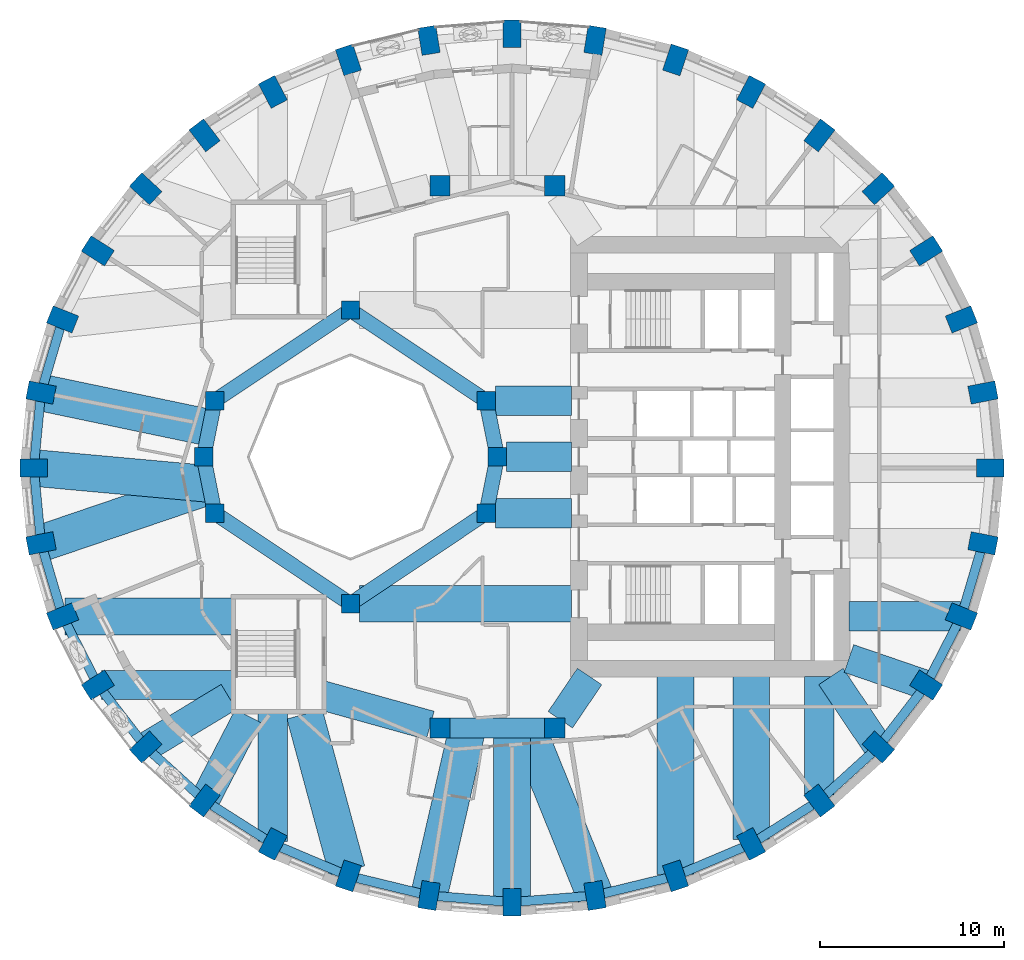
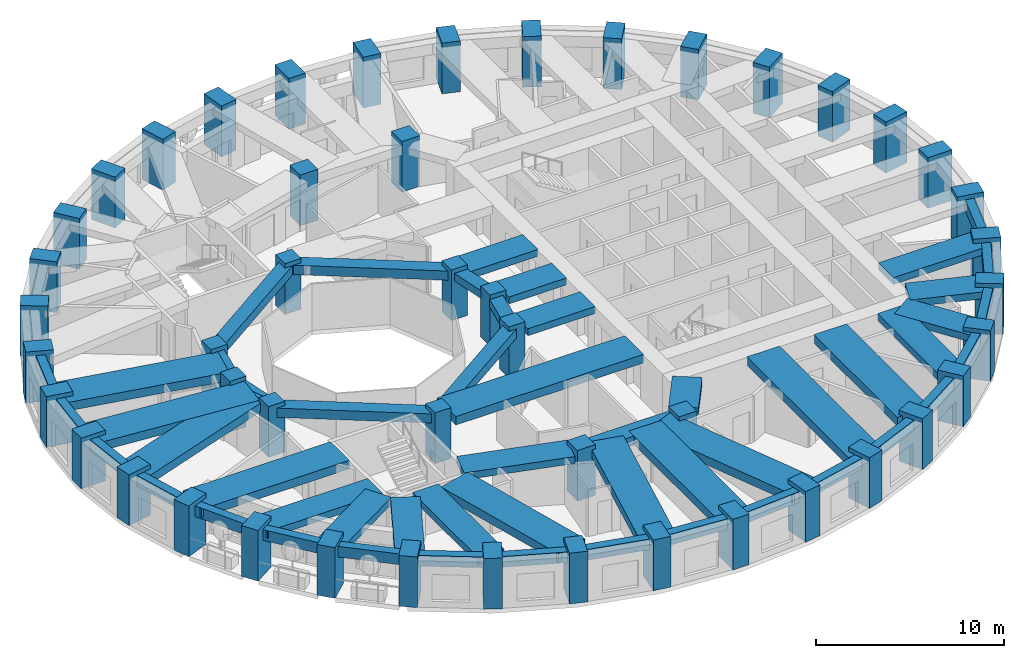
# One storey, part 1 of 12: 52 beams, 48 columns.
"""IFC4 building model written with IfcOpenShell, lengths in metres."""

from ifc_helpers import new_model, si_unit, direction, frame, origin, origin_2d, place, context, subcontext, project, spatial, rectangle, extrude, material, material_profile, profile_set, type_object, element, save


model = new_model("IFC4")

# Units and contexts
model_context = context("Model", 3, precision=1e-05, world=origin(), true_north=direction((0.0, 1.0)))
body_context = subcontext(model_context, "Body", "Model", "MODEL_VIEW")
ifc_project = project(units=[si_unit("LENGTHUNIT", "METRE"), si_unit("AREAUNIT", "SQUARE_METRE"), si_unit("VOLUMEUNIT", "CUBIC_METRE"), si_unit("PLANEANGLEUNIT", "RADIAN"), si_unit("MASSUNIT", "GRAM", prefix="KILO")], contexts=[model_context])

# Site, building, storey
site_placement = place(None, origin())
site = spatial("IfcSite", under=ifc_project, at=site_placement, CompositionType="ELEMENT")
building_placement = place(site_placement, origin())
building = spatial("IfcBuilding", under=site, at=building_placement, Name="Taillehof Tower", CompositionType="ELEMENT")
storey_placement = place(building_placement, frame((0.0, 0.0, 92.199951171875)))
storey = spatial("IfcBuildingStorey", under=building, at=storey_placement, Name="L25", CompositionType="ELEMENT", Elevation=92.199951171875)

# Columns
ifc_material_1 = material(Name="Concrete C50/60", Category="concrete")
ifc_material_profile_1 = material_profile(ifc_material_1, rectangle(XDim=1.0, YDim=1.0, at=origin_2d()), Name="RC 1000x1000")
ifc_profile_set_1 = profile_set([ifc_material_profile_1], Name="Concrete C50/60")
column_type_1 = type_object("IfcColumnType", Name="Atrium ring column C50/60 1000x1000", PredefinedType="COLUMN", material=ifc_profile_set_1)
for number, where, z_axis, x_axis, name in (
    (1, (0.0, 0.0, 0.0), (0.0, 0.0, 1.0), (1.0, 0.0, 0.0), "Column AC01"),
    (2, (-0.60888671875, 3.0615234375, 0.0), (0.0, 0.0, 1.0), (1.0, 0.0, 0.0), "Column AC02"),
    (3, (-8.0, 8.0, 0.0), (0.0, 0.0, 1.0), (1.0, 0.0, 0.0), "Column AC05"),
    (4, (-15.39111328125, 3.0615234375, 0.0), (0.0, 0.0, 1.0), (1.0, 0.0, 0.0), "Column AC08"),
    (5, (-16.0, 0.0, 0.0), (0.0, 0.0, 1.0), (1.0, 0.0, 0.0), "Column AC09"),
    (6, (-15.39111328125, -3.0615234375, 0.0), (0.0, 0.0, 1.0), (1.0, 0.0, 0.0), "Column AC10"),
    (7, (-8.0, -8.0, 0.0), (0.0, 0.0, 1.0), (1.0, 0.0, 0.0), "Column AC13"),
    (8, (-0.60888671875, -3.0615234375, 0.0), (0.0, 0.0, 1.0), (1.0, 0.0, 0.0), "Column AC16"),
):
    element("IfcColumn", number, at=place(storey_placement, frame(where, z_axis=z_axis, x_axis=x_axis)), inside=storey, type_object=column_type_1, Name=name, PredefinedType="COLUMN", context=body_context, shape_type="SweptSolid", body=[
        extrude(rectangle(XDim=1.0, YDim=1.0, at=origin_2d()), origin(), (0.0, 0.0, 1.0), 3.300048828125),
    ])
ifc_material_2 = material(Name="Concrete C50/60", Category="concrete")
ifc_material_profile_2 = material_profile(ifc_material_2, rectangle(XDim=1.10009765625, YDim=1.10009765625, at=origin_2d()), Name="RC 1100x1100")
ifc_profile_set_2 = profile_set([ifc_material_profile_2], Name="Concrete C50/60")
column_type_2 = type_object("IfcColumnType", Name="Mid-ring column C50/60 1100x1100", PredefinedType="COLUMN", material=ifc_profile_set_2)
for number, where, z_axis, x_axis, name in (
    (9, (3.125732421875, 14.772216796875, 0.0), (0.0, 0.0, 1.0), (1.0, 0.0, 0.0), "Column MC05"),
    (10, (3.125732421875, -14.772216796875, 0.0), (0.0, 0.0, 1.0), (1.0, 0.0, 0.0), "Column MC15"),
):
    element("IfcColumn", number, at=place(storey_placement, frame(where, z_axis=z_axis, x_axis=x_axis)), inside=storey, type_object=column_type_2, Name=name, PredefinedType="COLUMN", context=body_context, shape_type="SweptSolid", body=[
        extrude(rectangle(XDim=1.10009765625, YDim=1.10009765625, at=origin_2d()), origin(), (0.0, 0.0, 1.0), 3.300048828125),
    ])
ifc_material_3 = material(Name="Concrete C60/75", Category="concrete")
ifc_material_profile_3 = material_profile(ifc_material_3, rectangle(XDim=1.10009765625, YDim=1.10009765625, at=origin_2d()), Name="RC 1100x1100")
ifc_profile_set_3 = profile_set([ifc_material_profile_3], Name="Concrete C60/75")
column_type_3 = type_object("IfcColumnType", Name="Mid-ring column C60/75 1100x1100", PredefinedType="COLUMN", material=ifc_profile_set_3)
for number, where, z_axis, x_axis, name in (
    (11, (-3.125732421875, 14.772216796875, 0.0), (0.0, 0.0, 1.0), (1.0, 0.0, 0.0), "Column MC06"),
    (12, (-3.125732421875, -14.772216796875, 0.0), (0.0, 0.0, 1.0), (1.0, 0.0, 0.0), "Column MC14"),
):
    element("IfcColumn", number, at=place(storey_placement, frame(where, z_axis=z_axis, x_axis=x_axis)), inside=storey, type_object=column_type_3, Name=name, PredefinedType="COLUMN", context=body_context, shape_type="SweptSolid", body=[
        extrude(rectangle(XDim=1.10009765625, YDim=1.10009765625, at=origin_2d()), origin(), (0.0, 0.0, 1.0), 3.300048828125),
    ])
ifc_material_4 = material(Name="Concrete C70/85", Category="concrete")
ifc_material_profile_4 = material_profile(ifc_material_4, rectangle(XDim=1.5, YDim=1.0, at=origin_2d()), Name="RC 1500x1000")
ifc_profile_set_4 = profile_set([ifc_material_profile_4], Name="Concrete C70/85")
column_type_4 = type_object("IfcColumnType", Name="Ring column C70/85 1500x1000", PredefinedType="COLUMN", material=ifc_profile_set_4)
for number, where, z_axis, x_axis, name in (
    (13, (26.85009765625, -0.60009765625, 0.0), (0.0, 0.0, 1.0), (1.0, 0.0, 0.0), "Ring column RC01"),
    (14, (26.454345703125, 3.5068359375, 0.0), (0.0, 0.0, 1.0), (0.981757466121, 0.190137523166, 0.0), "Ring column RC02"),
    (15, (25.279052734375, 7.48876953125, 0.0), (0.0, 0.0, 1.0), (0.928550110352, 0.371207075048, 0.0), "Ring column RC03"),
    (16, (23.35986328125, 11.22509765625, 0.0), (0.0, 0.0, 1.0), (0.844511454562, 0.535537489923, 0.0), "Ring column RC04"),
    (17, (20.75537109375, 14.60205078125, 0.0), (0.0, 0.0, 1.0), (0.735332034083, 0.677707016085, 0.0), "Ring column RC05"),
    (18, (17.544677734375, 17.516845703125, 0.0), (0.0, 0.0, 1.0), (0.607074228939, 0.794645128694, 0.0), "Ring column RC06"),
    (19, (13.824951171875, 19.881591796875, 0.0), (0.0, 0.0, 1.0), (0.465283017627, 0.885161970211, 0.0), "Ring column RC07"),
    (20, (9.709716796875, 21.623779296875, 0.0), (0.0, 0.0, 1.0), (0.314554972703, 0.949239258116, 0.0), "Ring column RC08"),
    (21, (5.323486328125, 22.690673828125, 0.0), (0.0, 0.0, 1.0), (0.158507038215, 0.987357847407, 0.0), "Ring column RC09"),
    (22, (0.800048828125, 23.050048828125, 0.0), (0.0, 0.0, 1.0), (0.0, 1.0, 0.0), "Ring column RC10"),
    (23, (-3.7236328125, 22.690673828125, 0.0), (0.0, 0.0, 1.0), (-0.158507038215, 0.987357847407, 0.0), "Ring column RC11"),
    (24, (-8.109619140625, 21.623779296875, 0.0), (0.0, 0.0, 1.0), (-0.314554972703, 0.949239258116, 0.0), "Ring column RC12"),
    (25, (-12.22509765625, 19.881591796875, 0.0), (0.0, 0.0, 1.0), (-0.465283017627, 0.885161970211, 0.0), "Ring column RC13"),
    (26, (-15.944580078125, 17.516845703125, 0.0), (0.0, 0.0, 1.0), (-0.607074228939, 0.794645128694, 0.0), "Ring column RC14"),
    (27, (-19.155517578125, 14.60205078125, 0.0), (0.0, 0.0, 1.0), (-0.735332034083, 0.677707016085, 0.0), "Ring column RC15"),
    (28, (-21.760009765625, 11.22509765625, 0.0), (0.0, 0.0, 1.0), (-0.844511454562, 0.535537489923, 0.0), "Ring column RC16"),
    (29, (-23.678955078125, 7.48876953125, 0.0), (0.0, 0.0, 1.0), (-0.928550110352, 0.371207075048, 0.0), "Ring column RC17"),
    (30, (-24.854248046875, 3.5068359375, 0.0), (0.0, 0.0, 1.0), (-0.981757466121, 0.190137523166, 0.0), "Ring column RC18"),
    (31, (-25.25, -0.60009765625, 0.0), (0.0, 0.0, 1.0), (-1.0, 0.0, 0.0), "Ring column RC19"),
    (32, (-24.854248046875, -4.706787109375, 0.0), (0.0, 0.0, 1.0), (-0.981757466121, -0.190137523166, 0.0), "Ring column RC20"),
    (33, (-23.678955078125, -8.688720703125, 0.0), (0.0, 0.0, 1.0), (-0.928550110352, -0.371207075048, 0.0), "Ring column RC21"),
    (34, (-21.760009765625, -12.425048828125, 0.0), (0.0, 0.0, 1.0), (-0.844511454562, -0.535537489923, 0.0), "Ring column RC22"),
    (35, (-19.155517578125, -15.802001953125, 0.0), (0.0, 0.0, 1.0), (-0.735332034083, -0.677707016085, 0.0), "Ring column RC23"),
    (36, (-15.944580078125, -18.717041015625, 0.0), (0.0, 0.0, 1.0), (-0.607074228939, -0.794645128694, 0.0), "Ring column RC24"),
    (37, (-12.22509765625, -21.08154296875, 0.0), (0.0, 0.0, 1.0), (-0.465283017627, -0.885161970211, 0.0), "Ring column RC25"),
    (38, (-8.109619140625, -22.82373046875, 0.0), (0.0, 0.0, 1.0), (-0.314554972703, -0.949239258116, 0.0), "Ring column RC26"),
    (39, (-3.7236328125, -23.890625, 0.0), (0.0, 0.0, 1.0), (-0.158507038215, -0.987357847407, 0.0), "Ring column RC27"),
    (40, (0.800048828125, -24.25, 0.0), (0.0, 0.0, 1.0), (0.0, -1.0, 0.0), "Ring column RC28"),
    (41, (5.323486328125, -23.890625, 0.0), (0.0, 0.0, 1.0), (0.158507038215, -0.987357847407, 0.0), "Ring column RC29"),
    (42, (9.709716796875, -22.82373046875, 0.0), (0.0, 0.0, 1.0), (0.314554972703, -0.949239258116, 0.0), "Ring column RC30"),
    (43, (13.824951171875, -21.08154296875, 0.0), (0.0, 0.0, 1.0), (0.465283017627, -0.885161970211, 0.0), "Ring column RC31"),
    (44, (17.544677734375, -18.717041015625, 0.0), (0.0, 0.0, 1.0), (0.607074228939, -0.794645128694, 0.0), "Ring column RC32"),
    (45, (20.75537109375, -15.802001953125, 0.0), (0.0, 0.0, 1.0), (0.735332034083, -0.677707016085, 0.0), "Ring column RC33"),
    (46, (23.35986328125, -12.425048828125, 0.0), (0.0, 0.0, 1.0), (0.844511454562, -0.535537489923, 0.0), "Ring column RC34"),
    (47, (25.279052734375, -8.688720703125, 0.0), (0.0, 0.0, 1.0), (0.928550110352, -0.371207075048, 0.0), "Ring column RC35"),
    (48, (26.454345703125, -4.706787109375, 0.0), (0.0, 0.0, 1.0), (0.981757466121, -0.190137523166, 0.0), "Ring column RC36"),
):
    element("IfcColumn", number, at=place(storey_placement, frame(where, z_axis=z_axis, x_axis=x_axis)), inside=storey, type_object=column_type_4, Name=name, PredefinedType="COLUMN", context=body_context, shape_type="SweptSolid", body=[
        extrude(rectangle(XDim=1.5, YDim=1.0, at=origin_2d()), origin(), (0.0, 0.0, 1.0), 3.300048828125),
    ])

# Beams
ifc_material_5 = material(Name="Concrete C50/60", Category="concrete")
ifc_material_profile_5 = material_profile(ifc_material_5, rectangle(XDim=0.800048828125, YDim=0.5, at=origin_2d()), Name="RC 800x500")
ifc_profile_set_5 = profile_set([ifc_material_profile_5], Name="Concrete C50/60")
beam_type_1 = type_object("IfcBeamType", Name="Atrium ring beam C50/60 800x500", PredefinedType="BEAM", material=ifc_profile_set_5)
for number, where, z_axis, x_axis, name in (
    (49, (0.0, 0.0, 2.77001953125), (-0.195063155143, 0.980790683839, 0.0), (-0.980790683839, -0.195063155143, 0.0), "Atrium ring beam AB01"),
    (50, (-15.39111328125, 3.0615234375, 2.77001953125), (-0.195063155143, -0.980790683839, 0.0), (0.980790683839, -0.195063155143, 0.0), "Atrium ring beam AB04"),
    (51, (-16.0, 0.0, 2.77001953125), (0.195063155143, -0.980790683839, 0.0), (0.980790683839, 0.195063155143, 0.0), "Atrium ring beam AB05"),
    (52, (-0.60888671875, -3.0615234375, 2.77001953125), (0.195063155143, 0.980790683839, 0.0), (-0.980790683839, 0.195063155143, 0.0), "Atrium ring beam AB08"),
):
    element("IfcBeam", number, at=place(storey_placement, frame(where, z_axis=z_axis, x_axis=x_axis)), inside=storey, type_object=beam_type_1, Name=name, PredefinedType="BEAM", context=body_context, shape_type="SweptSolid", body=[
        extrude(rectangle(XDim=0.800048828125, YDim=0.5, at=origin_2d()), origin(), (0.0, 0.0, 1.0), 3.12158203125),
    ])
ifc_material_6 = material(Name="Concrete C50/60", Category="concrete")
ifc_material_profile_6 = material_profile(ifc_material_6, rectangle(XDim=0.800048828125, YDim=0.60009765625, at=origin_2d()), Name="RC 800x600")
ifc_profile_set_6 = profile_set([ifc_material_profile_6], Name="Concrete C50/60")
beam_type_2 = type_object("IfcBeamType", Name="Atrium ring beam C50/60 800x600", PredefinedType="BEAM", material=ifc_profile_set_6)
for number, where, z_axis, x_axis, name in (
    (53, (-0.60888671875, 3.0615234375, 2.719970703125), (-0.831475195687, 0.555561876804, 0.0), (-0.555561876804, -0.831475195687, 0.0), "Atrium ring beam AB02"),
    (54, (-8.0, 8.0, 2.719970703125), (-0.831475195687, -0.555561876804, 0.0), (0.555561876804, -0.831475195687, 0.0), "Atrium ring beam AB03"),
    (55, (-15.39111328125, -3.0615234375, 2.719970703125), (0.831475195687, -0.555561876804, 0.0), (0.555561876804, 0.831475195687, 0.0), "Atrium ring beam AB06"),
    (56, (-8.0, -8.0, 2.719970703125), (0.831475195687, 0.555561876804, 0.0), (-0.555561876804, 0.831475195687, 0.0), "Atrium ring beam AB07"),
):
    element("IfcBeam", number, at=place(storey_placement, frame(where, z_axis=z_axis, x_axis=x_axis)), inside=storey, type_object=beam_type_2, Name=name, PredefinedType="BEAM", context=body_context, shape_type="SweptSolid", body=[
        extrude(rectangle(XDim=0.800048828125, YDim=0.60009765625, at=origin_2d()), origin(), (0.0, 0.0, 1.0), 8.88916015625),
    ])
ifc_material_7 = material(Name="Concrete C50/60", Category="concrete")
ifc_material_profile_7 = material_profile(ifc_material_7, rectangle(XDim=1.10009765625, YDim=0.60009765625, at=origin_2d()), Name="RC 1100x600")
ifc_profile_set_7 = profile_set([ifc_material_profile_7], Name="Concrete C50/60")
beam_type_3 = type_object("IfcBeamType", Name="Mid-ring beam C50/60 1100x600", PredefinedType="BEAM", material=ifc_profile_set_7)
beam_1_placement = place(storey_placement, frame((-3.125732421875, -14.772216796875, 2.719970703125), z_axis=(1.0, 0.0, 0.0), x_axis=(0.0, 1.0, 0.0)))
element("IfcBeam", 57, at=beam_1_placement, inside=storey, type_object=beam_type_3, Name="Mid-ring beam MB02", PredefinedType="BEAM", context=body_context, shape_type="SweptSolid", body=[
    extrude(rectangle(XDim=1.10009765625, YDim=0.60009765625, at=origin_2d()), origin(), (0.0, 0.0, 1.0), 6.25146484375),
])
ifc_material_8 = material(Name="Concrete C50/60", Category="concrete")
ifc_material_profile_8 = material_profile(ifc_material_8, rectangle(XDim=1.60009765625, YDim=0.449951171875, at=origin_2d()), Name="RC 1600x450")
ifc_profile_set_8 = profile_set([ifc_material_profile_8], Name="Concrete C50/60")
beam_type_4 = type_object("IfcBeamType", Name="Radial band beam C50/60 1600x450", PredefinedType="BEAM", material=ifc_profile_set_8)
beam_2_placement = place(storey_placement, frame((-21.54736328125, -12.425048828125, 2.795166015625), z_axis=(1.0, 0.0, 0.0), x_axis=(0.0, 1.0, 0.0)))
element("IfcBeam", 58, at=beam_2_placement, inside=storey, type_object=beam_type_4, Name="Radial band beam RB22", PredefinedType="BEAM", context=body_context, shape_type="SweptSolid", body=[
    extrude(rectangle(XDim=1.60009765625, YDim=0.449951171875, at=origin_2d()), origin(), (0.0, 0.0, 1.0), 7.097412109375),
])
beam_3_placement = place(storey_placement, frame((-19.155517578125, -15.802001953125, 2.795166015625), z_axis=(0.856794973818, 0.515657224171, 0.0), x_axis=(-0.515657224171, 0.856794973818, 0.0)))
element("IfcBeam", 59, at=beam_3_placement, inside=storey, type_object=beam_type_4, Name="Radial band beam RB23", PredefinedType="BEAM", context=body_context, shape_type="SweptSolid", body=[
    extrude(rectangle(XDim=1.60009765625, YDim=0.449951171875, at=origin_2d()), origin(), (0.0, 0.0, 1.0), 5.28369140625),
])
beam_4_placement = place(storey_placement, frame((-15.944580078125, -18.717041015625, 2.795166015625), z_axis=(0.460119038647, 0.8878572353, 0.0), x_axis=(-0.8878572353, 0.460119038647, 0.0)))
element("IfcBeam", 60, at=beam_4_placement, inside=storey, type_object=beam_type_4, Name="Radial band beam RB24", PredefinedType="BEAM", context=body_context, shape_type="SweptSolid", body=[
    extrude(rectangle(XDim=1.60009765625, YDim=0.449951171875, at=origin_2d()), origin(), (0.0, 0.0, 1.0), 5.1796875),
])
beam_5_placement = place(storey_placement, frame((-12.22509765625, -20.9443359375, 2.795166015625), z_axis=(0.0, 1.0, 0.0), x_axis=(-1.0, 0.0, 0.0)))
element("IfcBeam", 61, at=beam_5_placement, inside=storey, type_object=beam_type_4, Name="Radial band beam RB25", PredefinedType="BEAM", context=body_context, shape_type="SweptSolid", body=[
    extrude(rectangle(XDim=1.60009765625, YDim=0.449951171875, at=origin_2d()), origin(), (0.0, 0.0, 1.0), 6.994384765625),
])
beam_6_placement = place(storey_placement, frame((17.544677734375, -18.421875, 2.795166015625), z_axis=(0.0, 1.0, 0.0), x_axis=(-1.0, 0.0, 0.0)))
element("IfcBeam", 62, at=beam_6_placement, inside=storey, type_object=beam_type_4, Name="Radial band beam RB32", PredefinedType="BEAM", context=body_context, shape_type="SweptSolid", body=[
    extrude(rectangle(XDim=1.60009765625, YDim=0.449951171875, at=origin_2d()), origin(), (0.0, 0.0, 1.0), 6.471923828125),
])
beam_7_placement = place(storey_placement, frame((20.75537109375, -15.802001953125, 2.795166015625), z_axis=(-0.557822939952, 0.829959979555, 0.0), x_axis=(-0.829959979555, -0.557822939952, 0.0)))
element("IfcBeam", 63, at=beam_7_placement, inside=storey, type_object=beam_type_4, Name="Radial band beam RB33", PredefinedType="BEAM", context=body_context, shape_type="SweptSolid", body=[
    extrude(rectangle(XDim=1.60009765625, YDim=0.449951171875, at=origin_2d()), origin(), (0.0, 0.0, 1.0), 4.630859375),
])
beam_8_placement = place(storey_placement, frame((23.35986328125, -12.425048828125, 2.795166015625), z_axis=(-0.946037817118, 0.324056242932, 0.0), x_axis=(-0.324056242932, -0.946037817118, 0.0)))
element("IfcBeam", 64, at=beam_8_placement, inside=storey, type_object=beam_type_4, Name="Radial band beam RB34", PredefinedType="BEAM", context=body_context, shape_type="SweptSolid", body=[
    extrude(rectangle(XDim=1.60009765625, YDim=0.449951171875, at=origin_2d()), origin(), (0.0, 0.0, 1.0), 4.447265625),
])
beam_9_placement = place(storey_placement, frame((25.2275390625, -8.688720703125, 2.795166015625), z_axis=(-1.0, 0.0, 0.0), x_axis=(0.0, -1.0, 0.0)))
element("IfcBeam", 65, at=beam_9_placement, inside=storey, type_object=beam_type_4, Name="Radial band beam RB35", PredefinedType="BEAM", context=body_context, shape_type="SweptSolid", body=[
    extrude(rectangle(XDim=1.60009765625, YDim=0.449951171875, at=origin_2d()), origin(), (0.0, 0.0, 1.0), 6.07763671875),
])
beam_10_placement = place(storey_placement, frame((0.5, 0.0, 2.795166015625), z_axis=(1.0, 0.0, 0.0), x_axis=(0.0, 1.0, 0.0)))
element("IfcBeam", 66, at=beam_10_placement, inside=storey, type_object=beam_type_4, Name="Inner band beam IB101", PredefinedType="BEAM", context=body_context, shape_type="SweptSolid", body=[
    extrude(rectangle(XDim=1.60009765625, YDim=0.449951171875, at=origin_2d()), origin(), (0.0, 0.0, 1.0), 3.550048828125),
])
for number, where, z_axis, x_axis, name in (
    (67, (-0.10888671875, 3.0615234375, 2.795166015625), (1.0, 0.0, 0.0), (0.0, 1.0, 0.0), "Inner band beam IB102"),
    (68, (-0.10888671875, -3.0615234375, 2.795166015625), (1.0, 0.0, 0.0), (0.0, 1.0, 0.0), "Inner band beam IB116"),
):
    element("IfcBeam", number, at=place(storey_placement, frame(where, z_axis=z_axis, x_axis=x_axis)), inside=storey, type_object=beam_type_4, Name=name, PredefinedType="BEAM", context=body_context, shape_type="SweptSolid", body=[
        extrude(rectangle(XDim=1.60009765625, YDim=0.449951171875, at=origin_2d()), origin(), (0.0, 0.0, 1.0), 4.158935546875),
    ])
beam_11_placement = place(storey_placement, frame((-3.655517578125, -14.624755859375, 2.795166015625), z_axis=(-0.963459369536, 0.267854518821, 0.0), x_axis=(-0.267854518821, -0.963459369536, 0.0)))
element("IfcBeam", 69, at=beam_11_placement, inside=storey, type_object=beam_type_4, Name="Inner band beam IB214", PredefinedType="BEAM", context=body_context, shape_type="SweptSolid", body=[
    extrude(rectangle(XDim=1.60009765625, YDim=0.449951171875, at=origin_2d()), origin(), (0.0, 0.0, 1.0), 6.096923828125),
])
beam_12_placement = place(storey_placement, frame((3.433837890625, -14.31640625, 2.795166015625), z_axis=(0.560112043398, 0.828416862962, 0.0), x_axis=(-0.828416862962, 0.560112043398, 0.0)))
element("IfcBeam", 70, at=beam_12_placement, inside=storey, type_object=beam_type_4, Name="Inner band beam IB215", PredefinedType="BEAM", context=body_context, shape_type="SweptSolid", body=[
    extrude(rectangle(XDim=1.60009765625, YDim=0.449951171875, at=origin_2d()), origin(), (0.0, 0.0, 1.0), 2.84619140625),
])
ifc_material_9 = material(Name="Concrete C50/60", Category="concrete")
ifc_material_profile_9 = material_profile(ifc_material_9, rectangle(XDim=2.0, YDim=0.550048828125, at=origin_2d()), Name="RC 2000x550")
ifc_profile_set_9 = profile_set([ifc_material_profile_9], Name="Concrete C50/60")
beam_type_5 = type_object("IfcBeamType", Name="Radial band beam C50/60 2000x550", PredefinedType="BEAM", material=ifc_profile_set_9)
beam_13_placement = place(storey_placement, frame((-24.854248046875, 3.5068359375, 2.7451171875), z_axis=(0.978853404319, -0.204562980164, 0.0), x_axis=(0.204562980164, 0.978853404319, 0.0)))
element("IfcBeam", 71, at=beam_13_placement, inside=storey, type_object=beam_type_5, Name="Radial band beam RB18", PredefinedType="BEAM", context=body_context, shape_type="SweptSolid", body=[
    extrude(rectangle(XDim=2.0, YDim=0.550048828125, at=origin_2d()), origin(), (0.0, 0.0, 1.0), 9.36865234375),
])
beam_14_placement = place(storey_placement, frame((-25.25, -0.60009765625, 2.7451171875), z_axis=(0.995859515154, -0.090905588816, 0.0), x_axis=(0.090905588816, 0.995859515154, 0.0)))
element("IfcBeam", 72, at=beam_14_placement, inside=storey, type_object=beam_type_5, Name="Radial band beam RB19", PredefinedType="BEAM", context=body_context, shape_type="SweptSolid", body=[
    extrude(rectangle(XDim=2.0, YDim=0.550048828125, at=origin_2d()), origin(), (0.0, 0.0, 1.0), 9.58251953125),
])
beam_15_placement = place(storey_placement, frame((-24.854248046875, -4.706787109375, 2.7451171875), z_axis=(0.946822052625, 0.321757673822, 0.0), x_axis=(-0.321757673822, 0.946822052625, 0.0)))
element("IfcBeam", 73, at=beam_15_placement, inside=storey, type_object=beam_type_5, Name="Radial band beam RB20", PredefinedType="BEAM", context=body_context, shape_type="SweptSolid", body=[
    extrude(rectangle(XDim=2.0, YDim=0.550048828125, at=origin_2d()), origin(), (0.0, 0.0, 1.0), 9.685791015625),
])
beam_16_placement = place(storey_placement, frame((-23.54736328125, -8.688720703125, 2.7451171875), z_axis=(1.0, 0.0, 0.0), x_axis=(0.0, 1.0, 0.0)))
element("IfcBeam", 74, at=beam_16_placement, inside=storey, type_object=beam_type_5, Name="Radial band beam RB21", PredefinedType="BEAM", context=body_context, shape_type="SweptSolid", body=[
    extrude(rectangle(XDim=2.0, YDim=0.550048828125, at=origin_2d()), origin(), (0.0, 0.0, 1.0), 9.097412109375),
])
beam_17_placement = place(storey_placement, frame((-8.186767578125, -22.539306640625, 2.7451171875), z_axis=(-0.261461600872, 0.965213878511, 0.0), x_axis=(-0.965213878511, -0.261461600872, 0.0)))
element("IfcBeam", 75, at=beam_17_placement, inside=storey, type_object=beam_type_5, Name="Radial band beam RB26", PredefinedType="BEAM", context=body_context, shape_type="SweptSolid", body=[
    extrude(rectangle(XDim=2.0, YDim=0.550048828125, at=origin_2d()), origin(), (0.0, 0.0, 1.0), 8.835205078125),
])
beam_18_placement = place(storey_placement, frame((-3.7236328125, -23.890625, 2.7451171875), z_axis=(0.224215346781, 0.974539623755, 0.0), x_axis=(-0.974539623755, 0.224215346781, 0.0)))
element("IfcBeam", 76, at=beam_18_placement, inside=storey, type_object=beam_type_5, Name="Radial band beam RB27", PredefinedType="BEAM", context=body_context, shape_type="SweptSolid", body=[
    extrude(rectangle(XDim=2.0, YDim=0.550048828125, at=origin_2d()), origin(), (0.0, 0.0, 1.0), 9.356689453125),
])
beam_19_placement = place(storey_placement, frame((0.800048828125, -24.25, 2.7451171875), z_axis=(0.0, 1.0, 0.0), x_axis=(-1.0, 0.0, 0.0)))
element("IfcBeam", 77, at=beam_19_placement, inside=storey, type_object=beam_type_5, Name="Radial band beam RB28", PredefinedType="BEAM", context=body_context, shape_type="SweptSolid", body=[
    extrude(rectangle(XDim=2.0, YDim=0.550048828125, at=origin_2d()), origin(), (0.0, 0.0, 1.0), 9.477783203125),
])
beam_20_placement = place(storey_placement, frame((5.323486328125, -23.890625, 2.7451171875), z_axis=(-0.375801287916, 0.926700270854, 0.0), x_axis=(-0.926700270854, -0.375801287916, 0.0)))
element("IfcBeam", 78, at=beam_20_placement, inside=storey, type_object=beam_type_5, Name="Radial band beam RB29", PredefinedType="BEAM", context=body_context, shape_type="SweptSolid", body=[
    extrude(rectangle(XDim=2.0, YDim=0.550048828125, at=origin_2d()), origin(), (0.0, 0.0, 1.0), 9.839599609375),
])
beam_21_placement = place(storey_placement, frame((9.709716796875, -22.756591796875, 2.7451171875), z_axis=(0.0, 1.0, 0.0), x_axis=(-1.0, 0.0, 0.0)))
element("IfcBeam", 79, at=beam_21_placement, inside=storey, type_object=beam_type_5, Name="Radial band beam RB30", PredefinedType="BEAM", context=body_context, shape_type="SweptSolid", body=[
    extrude(rectangle(XDim=2.0, YDim=0.550048828125, at=origin_2d()), origin(), (0.0, 0.0, 1.0), 10.806640625),
])
beam_22_placement = place(storey_placement, frame((13.824951171875, -20.839599609375, 2.7451171875), z_axis=(0.0, 1.0, 0.0), x_axis=(-1.0, 0.0, 0.0)))
element("IfcBeam", 80, at=beam_22_placement, inside=storey, type_object=beam_type_5, Name="Radial band beam RB31", PredefinedType="BEAM", context=body_context, shape_type="SweptSolid", body=[
    extrude(rectangle(XDim=2.0, YDim=0.550048828125, at=origin_2d()), origin(), (0.0, 0.0, 1.0), 8.8896484375),
])
beam_23_placement = place(storey_placement, frame((-7.5, -8.0, 2.7451171875), z_axis=(1.0, 0.0, 0.0), x_axis=(0.0, 1.0, 0.0)))
element("IfcBeam", 81, at=beam_23_placement, inside=storey, type_object=beam_type_5, Name="Inner band beam IB113", PredefinedType="BEAM", context=body_context, shape_type="SweptSolid", body=[
    extrude(rectangle(XDim=2.0, YDim=0.550048828125, at=origin_2d()), origin(), (0.0, 0.0, 1.0), 11.550048828125),
])
ifc_material_10 = material(Name="Concrete C50/60", Category="concrete")
ifc_material_profile_10 = material_profile(ifc_material_10, rectangle(XDim=0.5, YDim=0.699951171875, at=origin_2d()), Name="RC 500x700")
ifc_profile_set_10 = profile_set([ifc_material_profile_10], Name="Concrete C50/60")
beam_type_6 = type_object("IfcBeamType", Name="Spandrel beam C50/60 500x700", PredefinedType="SPANDREL", material=ifc_profile_set_10)
beam_24_placement = place(storey_placement, frame((-23.678955078125, 7.48876953125, 2.670166015625), z_axis=(-0.28308309012, -0.95909538842, 0.0), x_axis=(0.95909538842, -0.28308309012, 0.0)))
element("IfcBeam", 82, at=beam_24_placement, inside=storey, type_object=beam_type_6, Name="Spandrel beam SB17", PredefinedType="SPANDREL", context=body_context, shape_type="SweptSolid", body=[
    extrude(rectangle(XDim=0.5, YDim=0.699951171875, at=origin_2d()), origin(), (0.0, 0.0, 1.0), 4.15185546875),
])
beam_25_placement = place(storey_placement, frame((-24.854248046875, 3.5068359375, 2.670166015625), z_axis=(-0.095917608943, -0.995389276763, 0.0), x_axis=(0.995389276763, -0.095917608943, 0.0)))
element("IfcBeam", 83, at=beam_25_placement, inside=storey, type_object=beam_type_6, Name="Spandrel beam SB18", PredefinedType="SPANDREL", context=body_context, shape_type="SweptSolid", body=[
    extrude(rectangle(XDim=0.5, YDim=0.699951171875, at=origin_2d()), origin(), (0.0, 0.0, 1.0), 4.1259765625),
])
beam_26_placement = place(storey_placement, frame((-25.25, -0.60009765625, 2.670166015625), z_axis=(0.09592325873, -0.995388732323, 0.0), x_axis=(0.995388732323, 0.09592325873, 0.0)))
element("IfcBeam", 84, at=beam_26_placement, inside=storey, type_object=beam_type_6, Name="Spandrel beam SB19", PredefinedType="SPANDREL", context=body_context, shape_type="SweptSolid", body=[
    extrude(rectangle(XDim=0.5, YDim=0.699951171875, at=origin_2d()), origin(), (0.0, 0.0, 1.0), 4.125732421875),
])
beam_27_placement = place(storey_placement, frame((-24.854248046875, -4.706787109375, 2.670166015625), z_axis=(0.28308309012, -0.95909538842, 0.0), x_axis=(0.95909538842, 0.28308309012, 0.0)))
element("IfcBeam", 85, at=beam_27_placement, inside=storey, type_object=beam_type_6, Name="Spandrel beam SB20", PredefinedType="SPANDREL", context=body_context, shape_type="SweptSolid", body=[
    extrude(rectangle(XDim=0.5, YDim=0.699951171875, at=origin_2d()), origin(), (0.0, 0.0, 1.0), 4.15185546875),
])
beam_28_placement = place(storey_placement, frame((-23.678955078125, -8.688720703125, 2.670166015625), z_axis=(0.456859381733, -0.889538928503, 0.0), x_axis=(0.889538928503, 0.456859381733, 0.0)))
element("IfcBeam", 86, at=beam_28_placement, inside=storey, type_object=beam_type_6, Name="Spandrel beam SB21", PredefinedType="SPANDREL", context=body_context, shape_type="SweptSolid", body=[
    extrude(rectangle(XDim=0.5, YDim=0.699951171875, at=origin_2d()), origin(), (0.0, 0.0, 1.0), 4.2001953125),
])
beam_29_placement = place(storey_placement, frame((-21.760009765625, -12.425048828125, 2.670166015625), z_axis=(0.61071731561, -0.79184869793, 0.0), x_axis=(0.79184869793, 0.61071731561, 0.0)))
element("IfcBeam", 87, at=beam_29_placement, inside=storey, type_object=beam_type_6, Name="Spandrel beam SB22", PredefinedType="SPANDREL", context=body_context, shape_type="SweptSolid", body=[
    extrude(rectangle(XDim=0.5, YDim=0.699951171875, at=origin_2d()), origin(), (0.0, 0.0, 1.0), 4.2646484375),
])
beam_30_placement = place(storey_placement, frame((-19.155517578125, -15.802001953125, 2.670166015625), z_axis=(0.740398416885, -0.672168270803, 0.0), x_axis=(0.672168270803, 0.740398416885, 0.0)))
element("IfcBeam", 88, at=beam_30_placement, inside=storey, type_object=beam_type_6, Name="Spandrel beam SB23", PredefinedType="SPANDREL", context=body_context, shape_type="SweptSolid", body=[
    extrude(rectangle(XDim=0.5, YDim=0.699951171875, at=origin_2d()), origin(), (0.0, 0.0, 1.0), 4.336669921875),
])
beam_31_placement = place(storey_placement, frame((-15.944580078125, -18.717041015625, 2.670166015625), z_axis=(0.843912293293, -0.536481165773, 0.0), x_axis=(0.536481165773, 0.843912293293, 0.0)))
element("IfcBeam", 89, at=beam_31_placement, inside=storey, type_object=beam_type_6, Name="Spandrel beam SB24", PredefinedType="SPANDREL", context=body_context, shape_type="SweptSolid", body=[
    extrude(rectangle(XDim=0.5, YDim=0.699951171875, at=origin_2d()), origin(), (0.0, 0.0, 1.0), 4.407470703125),
])
beam_32_placement = place(storey_placement, frame((-12.22509765625, -21.08154296875, 2.670166015625), z_axis=(0.920885046825, -0.389834234688, 0.0), x_axis=(0.389834234688, 0.920885046825, 0.0)))
element("IfcBeam", 90, at=beam_32_placement, inside=storey, type_object=beam_type_6, Name="Spandrel beam SB25", PredefinedType="SPANDREL", context=body_context, shape_type="SweptSolid", body=[
    extrude(rectangle(XDim=0.5, YDim=0.699951171875, at=origin_2d()), origin(), (0.0, 0.0, 1.0), 4.468994140625),
])
beam_33_placement = place(storey_placement, frame((-8.109619140625, -22.82373046875, 2.670166015625), z_axis=(0.971665924588, -0.236358479847, 0.0), x_axis=(0.236358479847, 0.971665924588, 0.0)))
element("IfcBeam", 91, at=beam_33_placement, inside=storey, type_object=beam_type_6, Name="Spandrel beam SB26", PredefinedType="SPANDREL", context=body_context, shape_type="SweptSolid", body=[
    extrude(rectangle(XDim=0.5, YDim=0.699951171875, at=origin_2d()), origin(), (0.0, 0.0, 1.0), 4.513916015625),
])
beam_34_placement = place(storey_placement, frame((-3.7236328125, -23.890625, 2.670166015625), z_axis=(0.996859260648, -0.079193525375, 0.0), x_axis=(0.079193525375, 0.996859260648, 0.0)))
element("IfcBeam", 92, at=beam_34_placement, inside=storey, type_object=beam_type_6, Name="Spandrel beam SB27", PredefinedType="SPANDREL", context=body_context, shape_type="SweptSolid", body=[
    extrude(rectangle(XDim=0.5, YDim=0.699951171875, at=origin_2d()), origin(), (0.0, 0.0, 1.0), 4.537841796875),
])
beam_35_placement = place(storey_placement, frame((0.800048828125, -24.25, 2.670166015625), z_axis=(0.996858923208, 0.079197772828, 0.0), x_axis=(-0.079197772828, 0.996858923208, 0.0)))
element("IfcBeam", 93, at=beam_35_placement, inside=storey, type_object=beam_type_6, Name="Spandrel beam SB28", PredefinedType="SPANDREL", context=body_context, shape_type="SweptSolid", body=[
    extrude(rectangle(XDim=0.5, YDim=0.699951171875, at=origin_2d()), origin(), (0.0, 0.0, 1.0), 4.53759765625),
])
beam_36_placement = place(storey_placement, frame((5.323486328125, -23.890625, 2.670166015625), z_axis=(0.971668945916, 0.23634605887, 0.0), x_axis=(-0.23634605887, 0.971668945916, 0.0)))
element("IfcBeam", 94, at=beam_36_placement, inside=storey, type_object=beam_type_6, Name="Spandrel beam SB29", PredefinedType="SPANDREL", context=body_context, shape_type="SweptSolid", body=[
    extrude(rectangle(XDim=0.5, YDim=0.699951171875, at=origin_2d()), origin(), (0.0, 0.0, 1.0), 4.51416015625),
])
beam_37_placement = place(storey_placement, frame((9.709716796875, -22.82373046875, 2.670166015625), z_axis=(0.920876744153, 0.389853847074, 0.0), x_axis=(-0.389853847074, 0.920876744153, 0.0)))
element("IfcBeam", 95, at=beam_37_placement, inside=storey, type_object=beam_type_6, Name="Spandrel beam SB30", PredefinedType="SPANDREL", context=body_context, shape_type="SweptSolid", body=[
    extrude(rectangle(XDim=0.5, YDim=0.699951171875, at=origin_2d()), origin(), (0.0, 0.0, 1.0), 4.46875),
])
beam_38_placement = place(storey_placement, frame((13.824951171875, -21.08154296875, 2.670166015625), z_axis=(0.843928234947, 0.536456087914, 0.0), x_axis=(-0.536456087914, 0.843928234947, 0.0)))
element("IfcBeam", 96, at=beam_38_placement, inside=storey, type_object=beam_type_6, Name="Spandrel beam SB31", PredefinedType="SPANDREL", context=body_context, shape_type="SweptSolid", body=[
    extrude(rectangle(XDim=0.5, YDim=0.699951171875, at=origin_2d()), origin(), (0.0, 0.0, 1.0), 4.40771484375),
])
beam_39_placement = place(storey_placement, frame((17.544677734375, -18.717041015625, 2.670166015625), z_axis=(0.740372980414, 0.672196288202, 0.0), x_axis=(-0.672196288202, 0.740372980414, 0.0)))
element("IfcBeam", 97, at=beam_39_placement, inside=storey, type_object=beam_type_6, Name="Spandrel beam SB32", PredefinedType="SPANDREL", context=body_context, shape_type="SweptSolid", body=[
    extrude(rectangle(XDim=0.5, YDim=0.699951171875, at=origin_2d()), origin(), (0.0, 0.0, 1.0), 4.336669921875),
])
beam_40_placement = place(storey_placement, frame((20.75537109375, -15.802001953125, 2.670166015625), z_axis=(0.61071731561, 0.79184869793, 0.0), x_axis=(-0.79184869793, 0.61071731561, 0.0)))
element("IfcBeam", 98, at=beam_40_placement, inside=storey, type_object=beam_type_6, Name="Spandrel beam SB33", PredefinedType="SPANDREL", context=body_context, shape_type="SweptSolid", body=[
    extrude(rectangle(XDim=0.5, YDim=0.699951171875, at=origin_2d()), origin(), (0.0, 0.0, 1.0), 4.2646484375),
])
beam_41_placement = place(storey_placement, frame((23.35986328125, -12.425048828125, 2.670166015625), z_axis=(0.456905372708, 0.88951530644, 0.0), x_axis=(-0.88951530644, 0.456905372708, 0.0)))
element("IfcBeam", 99, at=beam_41_placement, inside=storey, type_object=beam_type_6, Name="Spandrel beam SB34", PredefinedType="SPANDREL", context=body_context, shape_type="SweptSolid", body=[
    extrude(rectangle(XDim=0.5, YDim=0.699951171875, at=origin_2d()), origin(), (0.0, 0.0, 1.0), 4.200439453125),
])
beam_42_placement = place(storey_placement, frame((25.279052734375, -8.688720703125, 2.670166015625), z_axis=(0.28308309012, 0.95909538842, 0.0), x_axis=(-0.95909538842, 0.28308309012, 0.0)))
element("IfcBeam", 100, at=beam_42_placement, inside=storey, type_object=beam_type_6, Name="Spandrel beam SB35", PredefinedType="SPANDREL", context=body_context, shape_type="SweptSolid", body=[
    extrude(rectangle(XDim=0.5, YDim=0.699951171875, at=origin_2d()), origin(), (0.0, 0.0, 1.0), 4.15185546875),
])

save(model, "model.ifc")
